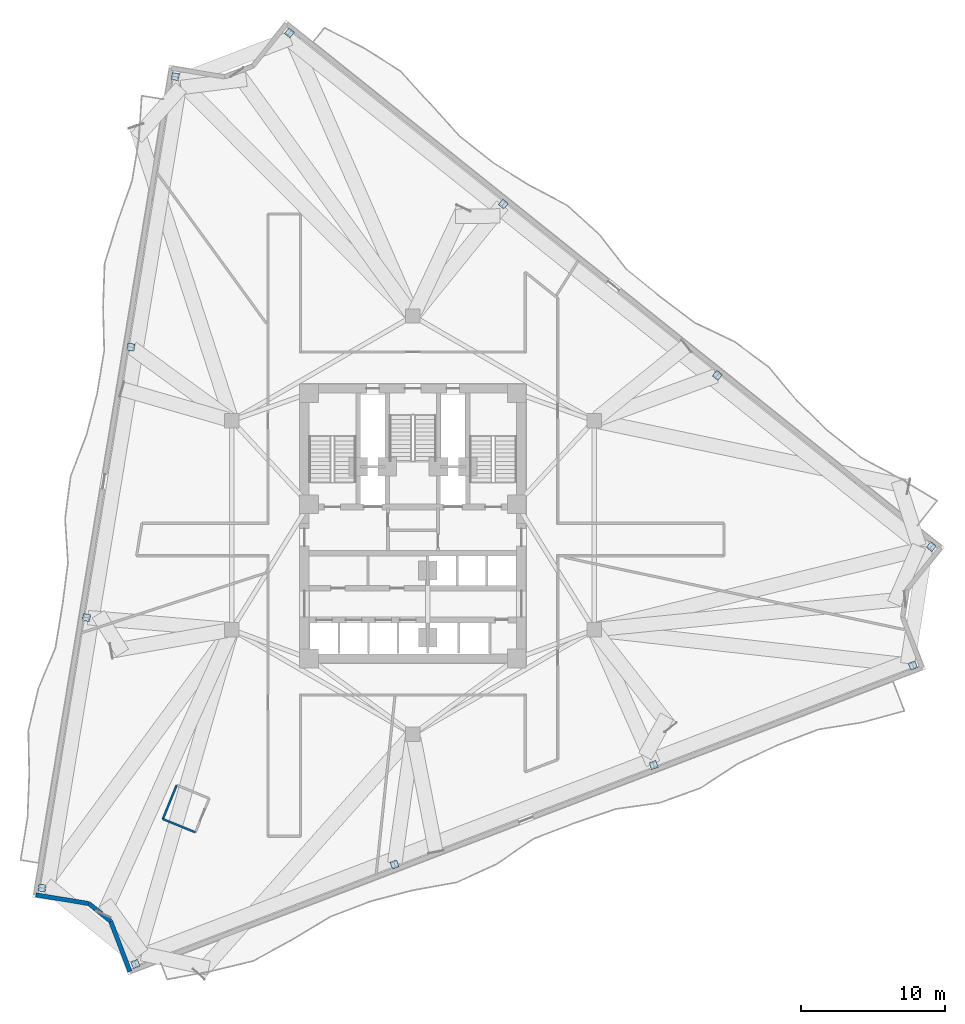
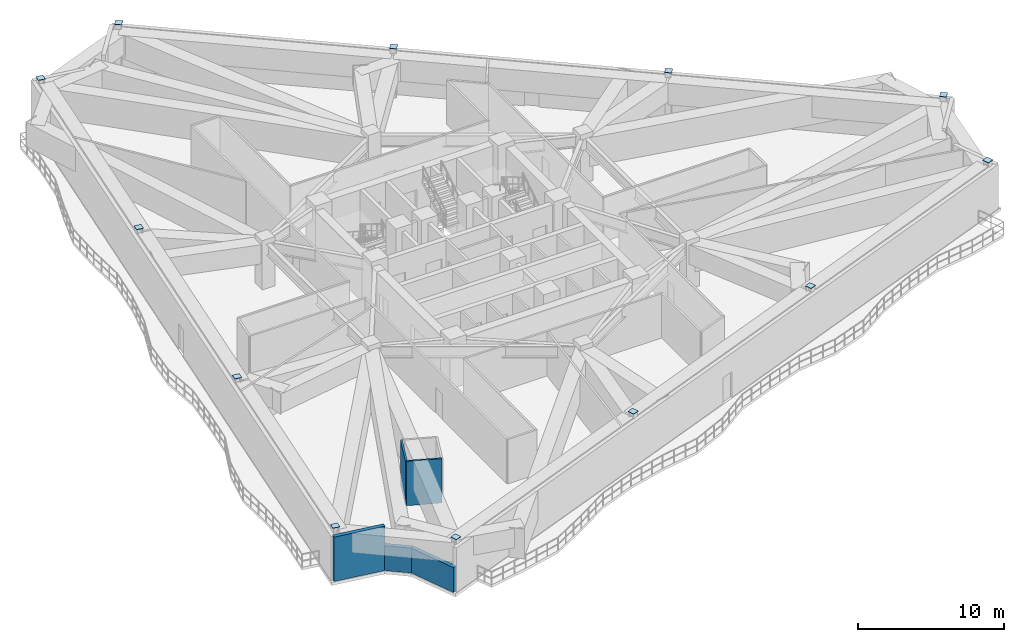
# One storey, part 7 of 14: 12 plates, 5 walls.
"""IFC4 building model written with IfcOpenShell, lengths in metres."""

from ifc_helpers import new_model, si_unit, direction, frame, frame_2d, origin, origin_2d, place, context, subcontext, project, spatial, rectangle, extrude, material, layer, layer_set, type_object, element, save


model = new_model("IFC4")

# Units and contexts
model_context = context("Model", 3, precision=1e-05, world=origin(), true_north=direction((0.0, 1.0)))
body_context = subcontext(model_context, "Body", "Model", "MODEL_VIEW")
ifc_project = project(units=[si_unit("LENGTHUNIT", "METRE"), si_unit("AREAUNIT", "SQUARE_METRE"), si_unit("VOLUMEUNIT", "CUBIC_METRE"), si_unit("PLANEANGLEUNIT", "RADIAN"), si_unit("MASSUNIT", "GRAM", prefix="KILO")], contexts=[model_context])

# Site, building, storey
site_placement = place(None, origin())
site = spatial("IfcSite", under=ifc_project, at=site_placement, CompositionType="ELEMENT")
building_placement = place(site_placement, origin())
building = spatial("IfcBuilding", under=site, at=building_placement, Name="Apsidion Concourse Tower", CompositionType="ELEMENT")
storey_placement = place(building_placement, frame((0.0, 0.0, 156.800048828125)))
storey = spatial("IfcBuildingStorey", under=building, at=storey_placement, Name="L36", CompositionType="ELEMENT", Elevation=156.800048828125)

# Plates
ifc_material_1 = material(Name="Structural steel ASTM A572 Grade 50", Category="steel")
ifc_layer_1 = layer(ifc_material_1, 0.034912109375)
ifc_layer_set_1 = layer_set([ifc_layer_1], Name="Structural steel ASTM A572 Grade 50")
plate_type = type_object("IfcPlateType", Name="PL-ENDCAP-35", PredefinedType="USERDEFINED", material=ifc_layer_set_1)
for number, where, z_axis, x_axis, name in (
    (1, (-16.477294921875, 31.100341796875, 4.097900390625), (0.0, 0.0, 1.0), (0.162120515372, 0.986770965572, 0.0), "L36 Step-Top Column End-Cap Plate PCCAP-PC01"),
    (2, (-19.55859375, 12.34619140625, 4.097900390625), (0.0, 0.0, 1.0), (0.162120515372, 0.986770965572, 0.0), "L36 Step-Top Column End-Cap Plate PCCAP-PC02"),
    (3, (-22.6396484375, -6.407958984375, 4.097900390625), (0.0, 0.0, 1.0), (0.162120515372, 0.986770965572, 0.0), "L36 Step-Top Column End-Cap Plate PCCAP-PC03"),
    (4, (-25.720703125, -25.162109375, 4.097900390625), (0.0, 0.0, 1.0), (0.162120515372, 0.986770965572, 0.0), "L36 Step-Top Column End-Cap Plate PCCAP-PC04"),
    (5, (-19.247314453125, -30.435302734375, 4.097900390625), (0.0, 0.0, 1.0), (0.933580426497, 0.358367949545, 0.0), "L36 Step-Top Column End-Cap Plate PCCAP-PC05"),
    (6, (-1.275146484375, -23.53662109375, 4.097900390625), (0.0, 0.0, 1.0), (0.933580426497, 0.358367949545, 0.0), "L36 Step-Top Column End-Cap Plate PCCAP-PC06"),
    (7, (16.69677734375, -16.6376953125, 4.097900390625), (0.0, 0.0, 1.0), (0.933580426497, 0.358367949545, 0.0), "L36 Step-Top Column End-Cap Plate PCCAP-PC07"),
    (8, (34.668701171875, -9.739013671875, 4.097900390625), (0.0, 0.0, 1.0), (0.933580426497, 0.358367949545, 0.0), "L36 Step-Top Column End-Cap Plate PCCAP-PC08"),
    (9, (35.951171875, -1.488525390625, 4.097900390625), (0.0, 0.0, 1.0), (-0.780757676633, 0.624833938242, 0.0), "L36 Step-Top Column End-Cap Plate PCCAP-PC09"),
    (10, (21.1123046875, 10.38671875, 4.097900390625), (0.0, 0.0, 1.0), (-0.780757676633, 0.624833938242, 0.0), "L36 Step-Top Column End-Cap Plate PCCAP-PC10"),
    (11, (6.2734375, 22.26220703125, 4.097900390625), (0.0, 0.0, 1.0), (-0.780757676633, 0.624833938242, 0.0), "L36 Step-Top Column End-Cap Plate PCCAP-PC11"),
    (12, (-8.565185546875, 34.1376953125, 4.097900390625), (0.0, 0.0, 1.0), (-0.780757676633, 0.624833938242, 0.0), "L36 Step-Top Column End-Cap Plate PCCAP-PC12"),
):
    element("IfcPlate", number, at=place(storey_placement, frame(where, z_axis=z_axis, x_axis=x_axis)), inside=storey, type_object=plate_type, Name=name, ObjectType="FLANGE_PLATE", PredefinedType="USERDEFINED", context=body_context, shape_type="SweptSolid", body=[
        extrude(rectangle(XDim=0.490966796875, YDim=0.513916015625, at=origin_2d()), origin(), (0.0, 0.0, 1.0), 0.0400390625),
    ])

# Walls
ifc_material_2 = material(Name="Precast concrete C40/50", Category="concrete")
ifc_layer_2 = layer(ifc_material_2, 0.300048828125)
ifc_layer_set_2 = layer_set([ifc_layer_2], Name="Precast concrete C40/50")
wall_type_1 = type_object("IfcWallType", Name="WL-EXT-300", PredefinedType="STANDARD", material=ifc_layer_set_2)
wall_1_placement = place(storey_placement, frame((-19.624267578125, -30.954833984375, 0.0), z_axis=(0.0, 0.0, 1.0), x_axis=(-0.358366059171, 0.933581152142, 0.0)))
element("IfcWall", 13, at=wall_1_placement, inside=storey, type_object=wall_type_1, Name="L36 Precast Stone Facade Wall 06", PredefinedType="STANDARD", context=body_context, shape_type="SweptSolid", body=[
    extrude(rectangle(XDim=3.73681640625, YDim=0.300048828125, at=frame_2d((1.868408203125, 0.0))), origin(), (0.0, 0.0, 1.0), 2.079833984375),
])
wall_2_placement = place(storey_placement, frame((-20.96337890625, -27.46630859375, 0.0), z_axis=(0.0, 0.0, 1.0), x_axis=(-0.775367830134, 0.631509879569, 0.0)))
element("IfcWall", 14, at=wall_2_placement, inside=storey, type_object=wall_type_1, Name="L36 Precast Stone Facade Wall 07", PredefinedType="STANDARD", context=body_context, shape_type="SweptSolid", body=[
    extrude(rectangle(XDim=1.93310546875, YDim=0.300048828125, at=frame_2d((0.966552734375, 0.0))), origin(), (0.0, 0.0, 1.0), 2.079833984375),
])
wall_3_placement = place(storey_placement, frame((-22.462158203125, -26.24560546875, 0.0), z_axis=(0.0, 0.0, 1.0), x_axis=(-0.986786597315, 0.16202534172, 0.0)))
element("IfcWall", 15, at=wall_3_placement, inside=storey, type_object=wall_type_1, Name="L36 Precast Stone Facade Wall 08", PredefinedType="STANDARD", context=body_context, shape_type="SweptSolid", body=[
    extrude(rectangle(XDim=3.73681640625, YDim=0.300048828125, at=frame_2d((1.868408203125, 0.0))), origin(), (0.0, 0.0, 1.0), 3.699951171875),
])
ifc_material_3 = material(Name="Gypsum plasterboard partition")
ifc_layer_3 = layer(ifc_material_3, 0.139892578125)
ifc_layer_set_3 = layer_set([ifc_layer_3], Name="Gypsum plasterboard partition")
wall_type_2 = type_object("IfcWallType", Name="WL-INT-PAR-140", PredefinedType="PARTITIONING", material=ifc_layer_set_3)
wall_4_placement = place(storey_placement, frame((-16.3837890625, -18.0302734375, 0.0), z_axis=(0.0, 0.0, 1.0), x_axis=(-0.377861684358, -0.925862056407, 0.0)))
element("IfcWall", 16, at=wall_4_placement, inside=storey, type_object=wall_type_2, Name="L36 Interior Partition WL-L36-POD-OFAWC-S1", PredefinedType="PARTITIONING", context=body_context, shape_type="SweptSolid", body=[
    extrude(rectangle(XDim=2.539794921875, YDim=0.139892578125, at=frame_2d((1.27001953125, 0.0))), origin(), (0.0, 0.0, 1.0), 3.699951171875),
])
wall_5_placement = place(storey_placement, frame((-17.343505859375, -20.3818359375, 0.0), z_axis=(0.0, 0.0, 1.0), x_axis=(0.925887645297, -0.377798978673, 0.0)))
element("IfcWall", 17, at=wall_5_placement, inside=storey, type_object=wall_type_2, Name="L36 Interior Partition WL-L36-POD-OFAWC-S2", PredefinedType="PARTITIONING", context=body_context, shape_type="SweptSolid", body=[
    extrude(rectangle(XDim=2.440185546875, YDim=0.139892578125, at=frame_2d((1.22021484375, 0.0))), origin(), (0.0, 0.0, 1.0), 3.699951171875),
])

save(model, "model.ifc")
